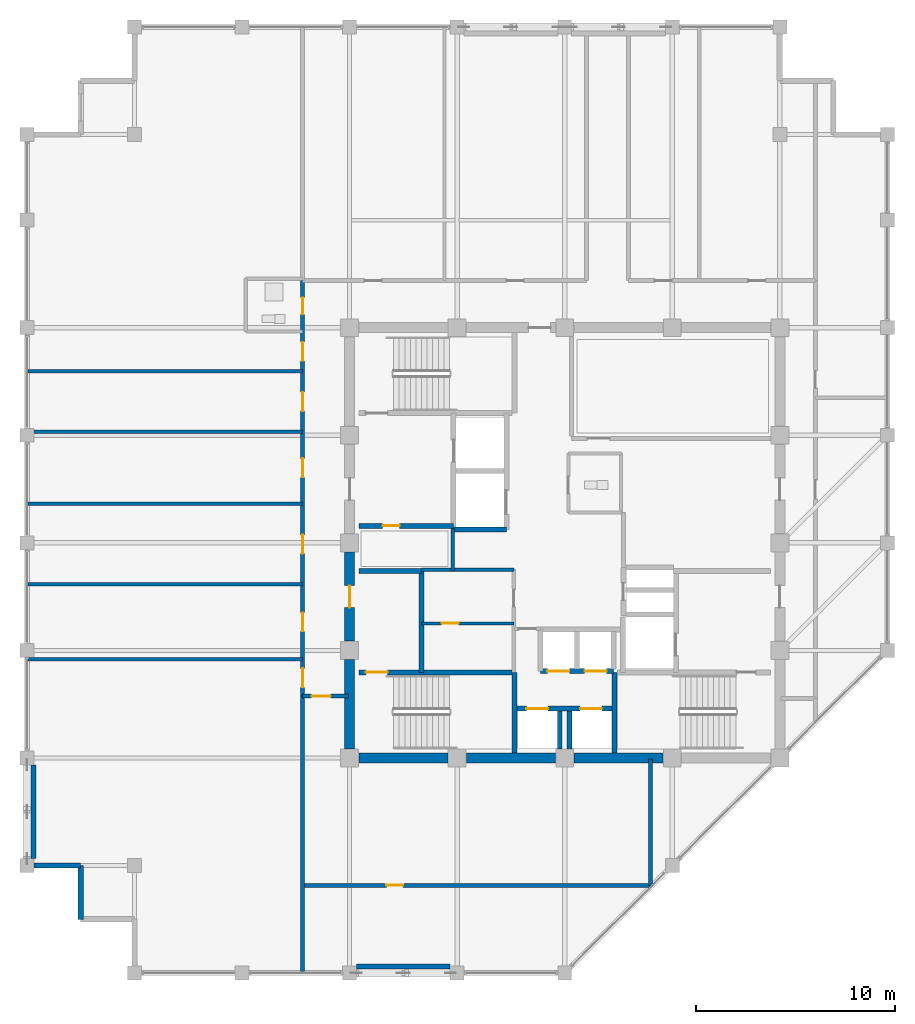
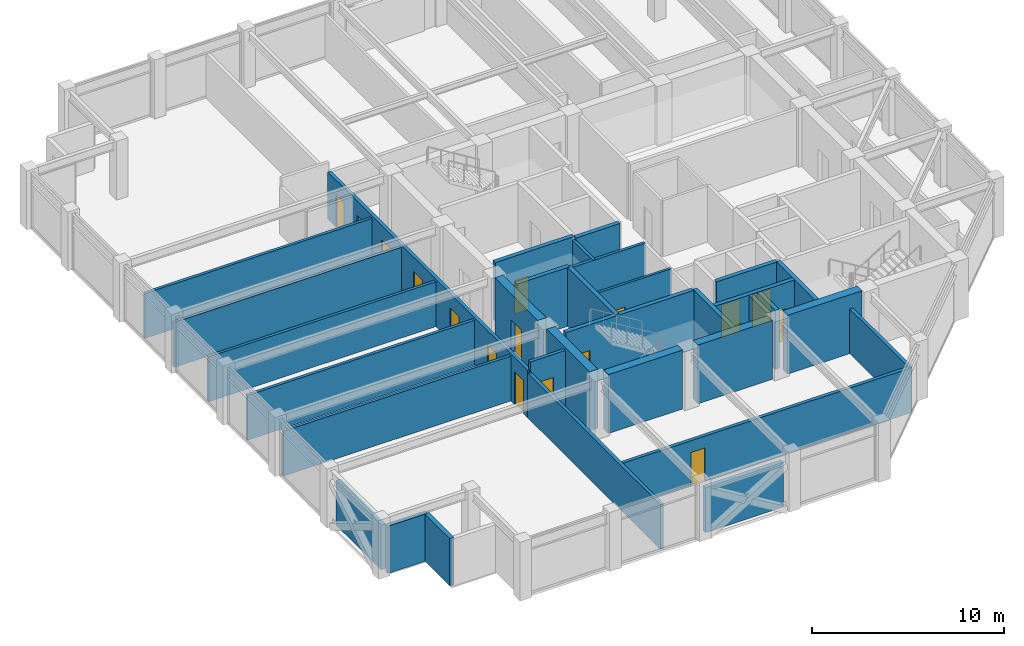
# One storey, part 26 of 30: 33 walls, 17 doors, 17 openings.
"""IFC4 building model written with IfcOpenShell, lengths in metres."""

from ifc_helpers import new_model, si_unit, direction, frame, frame_2d, origin, place, context, subcontext, project, spatial, rectangle, extrude, material, layer, layer_set, type_object, element, fill, save


model = new_model("IFC4")

# Units and contexts
model_context = context("Model", 3, precision=1e-05, world=origin(), true_north=direction((0.0, 1.0)))
body_context = subcontext(model_context, "Body", "Model", "MODEL_VIEW")
ifc_project = project(units=[si_unit("LENGTHUNIT", "METRE"), si_unit("AREAUNIT", "SQUARE_METRE"), si_unit("VOLUMEUNIT", "CUBIC_METRE"), si_unit("PLANEANGLEUNIT", "RADIAN"), si_unit("MASSUNIT", "GRAM", prefix="KILO")], contexts=[model_context])

# Site, building, storey
site_placement = place(None, origin())
site = spatial("IfcSite", under=ifc_project, at=site_placement, CompositionType="ELEMENT")
building_placement = place(site_placement, origin())
building = spatial("IfcBuilding", under=site, at=building_placement, Name="Surkhivell Harbour Commons", CompositionType="ELEMENT")
storey_placement = place(building_placement, frame((0.0, 0.0, 300.0)))
storey = spatial("IfcBuildingStorey", under=building, at=storey_placement, Name="L78", CompositionType="ELEMENT", Elevation=300.0)

# Walls
ifc_material_1 = material(Name="Concrete C50/60", Category="concrete")
ifc_layer_1 = layer(ifc_material_1, 0.5)
ifc_layer_set_1 = layer_set([ifc_layer_1], Name="Concrete C50/60")
wall_type_1 = type_object("IfcWallType", Name="WAL-CORE-500", PredefinedType="SHEAR", material=ifc_layer_set_1)
for number, where, z_axis, x_axis, name in (
    (1, (-10.340087890625, -10.800048828125, 0.0), (0.0, 0.0, 1.0), (1.0, 0.0, 0.0), "L78 Core Shear Wall South 1"),
    (2, (-10.800048828125, -10.340087890625, 0.0), (0.0, 0.0, 1.0), (0.0, 1.0, 0.0), "L78 Core Shear Wall West 1"),
    (3, (-4.93994140625, -10.800048828125, 0.0), (0.0, 0.0, 1.0), (1.0, 0.0, 0.0), "L78 Core Shear Wall South 2"),
):
    element("IfcWall", number, at=place(storey_placement, frame(where, z_axis=z_axis, x_axis=x_axis)), inside=storey, type_object=wall_type_1, Name=name, PredefinedType="SHEAR", context=body_context, shape_type="SweptSolid", body=[
        extrude(rectangle(XDim=4.47998046875, YDim=0.5, at=frame_2d((2.239990234375, 0.0))), origin(), (0.0, 0.0, 1.0), 3.75),
    ])

# Wall, opening, door
wall_1_placement = place(storey_placement, frame((-10.800048828125, -4.93994140625, 0.0), z_axis=(0.0, 0.0, 1.0), x_axis=(0.0, 1.0, 0.0)))
wall_1 = element("IfcWall", 4, at=wall_1_placement, inside=storey, type_object=wall_type_1, Name="L78 Core Shear Wall West 2", PredefinedType="SHEAR", context=body_context, shape_type="SweptSolid", body=[
    extrude(rectangle(XDim=4.47998046875, YDim=0.5, at=frame_2d((2.239990234375, 0.0))), origin(), (0.0, 0.0, 1.0), 3.75),
])
opening_1_placement = place(wall_1_placement, frame((1.68994140625, 0.0, 0.0)))
opening_1 = element("IfcOpeningElement", 5, at=opening_1_placement, cuts=wall_1, Name="Opening ID-2", PredefinedType="OPENING", context=body_context, shape_type="SweptSolid", body=[
    extrude(rectangle(XDim=1.10009765625, YDim=2.10009765625, at=frame_2d((0.550048828125, 1.050048828125))), frame((0.0, 0.260009765625, 0.0), z_axis=(0.0, -1.0, 0.0), x_axis=(1.0, 0.0, 0.0)), (0.0, 0.0, 1.0), 0.52001953125),
])
ifc_material_2 = material(Name="Hardwood-veneered fire-rated door leaf", Category="wood")
door_type_1 = type_object("IfcDoorType", Name="DOR-FD60-1100", OperationType="NOTDEFINED", PredefinedType="DOOR", material=ifc_material_2)
door_1_placement = place(opening_1_placement, origin())
door_1 = element("IfcDoor", 6, at=door_1_placement, inside=storey, type_object=door_type_1, Name="L78 Stair 3 Lobby Corridor Door", OperationType="SINGLE_SWING_LEFT", OverallHeight=2.10009765625, OverallWidth=1.10009765625, PredefinedType="DOOR", context=body_context, shape_type="SweptSolid", body=[
    extrude(rectangle(XDim=1.10009765625, YDim=2.10009765625, at=frame_2d((0.550048828125, 1.050048828125))), frame((0.0, 0.02490234375, 0.0), z_axis=(0.0, -1.0, 0.0), x_axis=(1.0, 0.0, 0.0)), (0.0, 0.0, 1.0), 0.050048828125),
])
fill(opening_1, door_1)

# Walls
wall_2_placement = place(storey_placement, frame((0.4599609375, -10.800048828125, 0.0), z_axis=(0.0, 0.0, 1.0), x_axis=(1.0, 0.0, 0.0)))
element("IfcWall", 7, at=wall_2_placement, inside=storey, type_object=wall_type_1, Name="L78 Core Shear Wall South 3", PredefinedType="SHEAR", context=body_context, shape_type="SweptSolid", body=[
    extrude(rectangle(XDim=4.47998046875, YDim=0.5, at=frame_2d((2.239990234375, 0.0))), origin(), (0.0, 0.0, 1.0), 3.75),
])
ifc_material_3 = material(Name="Pale-metal insulated precast concrete C45/55", Category="concrete")
ifc_layer_2 = layer(ifc_material_3, 0.260009765625)
ifc_layer_set_2 = layer_set([ifc_layer_2], Name="Pale-metal insulated precast concrete C45/55")
wall_type_2 = type_object("IfcWallType", Name="WAL-EXT-MTL260", PredefinedType="STANDARD", material=ifc_layer_set_2)
wall_3_placement = place(storey_placement, frame((-10.451904296875, -21.264892578125, 0.0), z_axis=(0.0, 0.0, 1.0), x_axis=(1.0, 0.0, 0.0)))
element("IfcWall", 8, at=wall_3_placement, inside=storey, type_object=wall_type_2, Name="L78 Braced-Bay Insulated Spandrel Backing S", PredefinedType="STANDARD", context=body_context, shape_type="SweptSolid", body=[
    extrude(rectangle(XDim=4.703857421875, YDim=0.260009765625, at=frame_2d((2.35205078125, 0.0))), origin(), (0.0, 0.0, 1.0), 2.85693359375),
])
wall_4_placement = place(storey_placement, frame((-26.6650390625, -11.14794921875, 0.0), z_axis=(0.0, 0.0, 1.0), x_axis=(0.0, -1.0, 0.0)))
element("IfcWall", 9, at=wall_4_placement, inside=storey, type_object=wall_type_2, Name="L78 Braced-Bay Insulated Spandrel Backing W", PredefinedType="STANDARD", context=body_context, shape_type="SweptSolid", body=[
    extrude(rectangle(XDim=4.7041015625, YDim=0.260009765625, at=frame_2d((2.35205078125, 0.0))), origin(), (0.0, 0.0, 1.0), 2.85693359375),
])
wall_5_placement = place(storey_placement, frame((-26.652099609375, -16.199951171875, 0.0), z_axis=(0.0, 0.0, 1.0), x_axis=(1.0, 0.0, 0.0)))
element("IfcWall", 10, at=wall_5_placement, inside=storey, type_object=wall_type_2, Name="L78 Serrated Corner Facade Wall 13", PredefinedType="STANDARD", context=body_context, shape_type="SweptSolid", body=[
    extrude(rectangle(XDim=2.35205078125, YDim=0.260009765625, at=frame_2d((1.176025390625, 0.0))), origin(), (0.0, 0.0, 1.0), 3.012939453125),
])
wall_6_placement = place(storey_placement, frame((-24.300048828125, -16.199951171875, 0.0), z_axis=(0.0, 0.0, 1.0), x_axis=(0.0, -1.0, 0.0)))
element("IfcWall", 11, at=wall_6_placement, inside=storey, type_object=wall_type_2, Name="L78 Serrated Corner Facade Wall 14", PredefinedType="STANDARD", context=body_context, shape_type="SweptSolid", body=[
    extrude(rectangle(XDim=2.699951171875, YDim=0.260009765625, at=frame_2d((1.35009765625, 0.0))), origin(), (0.0, 0.0, 1.0), 3.012939453125),
])

# Wall, opening, door
ifc_material_4 = material(Name="Twin-stud acoustic fireboard partition", Category="other")
ifc_layer_3 = layer(ifc_material_4, 0.14990234375)
ifc_layer_set_3 = layer_set([ifc_layer_3], Name="Twin-stud acoustic fireboard partition")
wall_type_3 = type_object("IfcWallType", Name="WAL-INT-150", PredefinedType="PARTITIONING", material=ifc_layer_set_3)
wall_7_placement = place(storey_placement, frame((-7.179931640625, -4.050048828125, 0.0), z_axis=(0.0, 0.0, 1.0), x_axis=(1.0, 0.0, 0.0)))
wall_7 = element("IfcWall", 12, at=wall_7_placement, inside=storey, type_object=wall_type_3, Name="L78 Core Cut A Partition", PredefinedType="PARTITIONING", context=body_context, shape_type="SweptSolid", body=[
    extrude(rectangle(XDim=4.6298828125, YDim=0.14990234375, at=frame_2d((2.31494140625, 0.0))), origin(), (0.0, 0.0, 1.0), 3.570068359375),
])
opening_2_placement = place(wall_7_placement, frame((1.0, 0.0, 0.0)))
opening_2 = element("IfcOpeningElement", 13, at=opening_2_placement, cuts=wall_7, Name="Opening ID-6", PredefinedType="OPENING", context=body_context, shape_type="SweptSolid", body=[
    extrude(rectangle(XDim=0.85009765625, YDim=2.10009765625, at=frame_2d((0.425048828125, 1.050048828125))), frame((0.0, 0.0849609375, 0.0), z_axis=(0.0, -1.0, 0.0), x_axis=(1.0, 0.0, 0.0)), (0.0, 0.0, 1.0), 0.169921875),
])
door_type_2 = type_object("IfcDoorType", Name="DOR-FD30-850", OperationType="NOTDEFINED", PredefinedType="DOOR", material=ifc_material_2)
door_2_placement = place(opening_2_placement, origin())
door_2 = element("IfcDoor", 14, at=door_2_placement, inside=storey, type_object=door_type_2, Name="L78 Linen Room Door", OperationType="SINGLE_SWING_RIGHT", OverallHeight=2.10009765625, OverallWidth=0.85009765625, PredefinedType="DOOR", context=body_context, shape_type="SweptSolid", body=[
    extrude(rectangle(XDim=0.85009765625, YDim=2.10009765625, at=frame_2d((0.425048828125, 1.050048828125))), frame((0.0, 0.02490234375, 0.0), z_axis=(0.0, -1.0, 0.0), x_axis=(1.0, 0.0, 0.0)), (0.0, 0.0, 1.0), 0.050048828125),
])
fill(opening_2, door_2)

# Walls
ifc_material_5 = material(Name="High-density acoustic blockwork fire partition", Category="masonry")
ifc_layer_4 = layer(ifc_material_5, 0.175048828125)
ifc_layer_set_4 = layer_set([ifc_layer_4], Name="High-density acoustic blockwork fire partition")
wall_type_4 = type_object("IfcWallType", Name="WAL-INT-175", PredefinedType="PARTITIONING", material=ifc_layer_set_4)
wall_8_placement = place(storey_placement, frame((-7.179931640625, -1.35009765625, 0.0), z_axis=(0.0, 0.0, 1.0), x_axis=(1.0, 0.0, 0.0)))
element("IfcWall", 15, at=wall_8_placement, inside=storey, type_object=wall_type_4, Name="L78 Core Service Bay North Wall", PredefinedType="PARTITIONING", context=body_context, shape_type="SweptSolid", body=[
    extrude(rectangle(XDim=4.6298828125, YDim=0.175048828125, at=frame_2d((2.31494140625, 0.0))), origin(), (0.0, 0.0, 1.0), 3.570068359375),
])
wall_9_placement = place(storey_placement, frame((-5.6201171875, -1.419921875, 0.0), z_axis=(0.0, 0.0, 1.0), x_axis=(0.0, 1.0, 0.0)))
element("IfcWall", 16, at=wall_9_placement, inside=storey, type_object=wall_type_4, Name="L78 West Core Bay East Wall", PredefinedType="PARTITIONING", context=body_context, shape_type="SweptSolid", body=[
    extrude(rectangle(XDim=2.139892578125, YDim=0.175048828125, at=frame_2d((1.06982421875, 0.0))), origin(), (0.0, 0.0, 1.0), 3.570068359375),
])
for number, where, z_axis, x_axis, name in (
    (17, (-26.93994140625, -2.090087890625, 0.0), (0.0, 0.0, 1.0), (1.0, 0.0, 0.0), "L78 West Partition BDP1"),
    (18, (-26.93994140625, 1.9599609375, 0.0), (0.0, 0.0, 1.0), (1.0, 0.0, 0.0), "L78 West Partition BDP2"),
    (19, (-26.93994140625, 5.570068359375, 0.0), (0.0, 0.0, 1.0), (1.0, 0.0, 0.0), "L78 West Partition BDP3"),
    (20, (-26.93994140625, -5.85009765625, 0.0), (0.0, 0.0, 1.0), (1.0, 0.0, 0.0), "L78 West Partition PBOT"),
    (21, (-26.93994140625, 8.610107421875, 0.0), (0.0, 0.0, 1.0), (1.0, 0.0, 0.0), "L78 West Partition PTOP"),
):
    element("IfcWall", number, at=place(storey_placement, frame(where, z_axis=z_axis, x_axis=x_axis)), inside=storey, type_object=wall_type_4, Name=name, PredefinedType="PARTITIONING", context=body_context, shape_type="SweptSolid", body=[
        extrude(rectangle(XDim=13.780029296875, YDim=0.175048828125, at=frame_2d((6.89013671875, 0.0))), origin(), (0.0, 0.0, 1.0), 2.85693359375),
    ])
ifc_material_6 = material(Name="Autoclaved aerated concrete blockwork and fire plaster", Category="masonry")
ifc_layer_5 = layer(ifc_material_6, 0.199951171875)
ifc_layer_set_5 = layer_set([ifc_layer_5], Name="Autoclaved aerated concrete blockwork and fire plaster")
wall_type_5 = type_object("IfcWallType", Name="WAL-INT-200", PredefinedType="PARTITIONING", material=ifc_layer_set_5)
wall_10_placement = place(storey_placement, frame((4.300048828125, -17.215087890625, 0.0), z_axis=(0.0, 0.0, 1.0), x_axis=(0.0, 1.0, 0.0)))
element("IfcWall", 22, at=wall_10_placement, inside=storey, type_object=wall_type_5, Name="L78 South Hall East Wall", PredefinedType="PARTITIONING", context=body_context, shape_type="SweptSolid", body=[
    extrude(rectangle(XDim=6.364990234375, YDim=0.199951171875, at=frame_2d((3.1826171875, 0.0))), origin(), (0.0, 0.0, 1.0), 2.85693359375),
])

# Wall, opening, door
wall_11_placement = place(storey_placement, frame((-13.159912109375, -17.199951171875, 0.0), z_axis=(0.0, 0.0, 1.0), x_axis=(1.0, 0.0, 0.0)))
wall_11 = element("IfcWall", 23, at=wall_11_placement, inside=storey, type_object=wall_type_5, Name="L78 South Wing Horizontal Partition", PredefinedType="PARTITIONING", context=body_context, shape_type="SweptSolid", body=[
    extrude(rectangle(XDim=17.4599609375, YDim=0.199951171875, at=frame_2d((8.72998046875, 0.0))), origin(), (0.0, 0.0, 1.0), 2.85693359375),
])
opening_3_placement = place(wall_11_placement, frame((4.199951171875, 0.0, 0.0)))
opening_3 = element("IfcOpeningElement", 24, at=opening_3_placement, cuts=wall_11, Name="Opening ID-6", PredefinedType="OPENING", context=body_context, shape_type="SweptSolid", body=[
    extrude(rectangle(XDim=0.85009765625, YDim=2.10009765625, at=frame_2d((0.425048828125, 1.050048828125))), frame((0.0, 0.10986328125, 0.0), z_axis=(0.0, -1.0, 0.0), x_axis=(1.0, 0.0, 0.0)), (0.0, 0.0, 1.0), 0.219970703125),
])
door_3_placement = place(opening_3_placement, origin())
door_3 = element("IfcDoor", 25, at=door_3_placement, inside=storey, type_object=door_type_2, Name="L78 South Music Door", OperationType="SINGLE_SWING_RIGHT", OverallHeight=2.10009765625, OverallWidth=0.85009765625, PredefinedType="DOOR", context=body_context, shape_type="SweptSolid", body=[
    extrude(rectangle(XDim=0.85009765625, YDim=2.10009765625, at=frame_2d((0.425048828125, 1.050048828125))), frame((0.0, 0.02490234375, 0.0), z_axis=(0.0, -1.0, 0.0), x_axis=(1.0, 0.0, 0.0)), (0.0, 0.0, 1.0), 0.050048828125),
])
fill(opening_3, door_3)

# Wall
wall_12_placement = place(storey_placement, frame((-13.159912109375, -21.5400390625, 0.0), z_axis=(0.0, 0.0, 1.0), x_axis=(0.0, 1.0, 0.0)))
element("IfcWall", 26, at=wall_12_placement, inside=storey, type_object=wall_type_5, Name="L78 South Hall West Divider", PredefinedType="PARTITIONING", context=body_context, shape_type="SweptSolid", body=[
    extrude(rectangle(XDim=13.840087890625, YDim=0.199951171875, at=frame_2d((6.919921875, 0.0))), origin(), (0.0, 0.0, 1.0), 2.85693359375),
])

# Wall, openings, doors
wall_13_placement = place(storey_placement, frame((-13.159912109375, -7.699951171875, 0.0), z_axis=(0.0, 0.0, 1.0), x_axis=(0.0, 1.0, 0.0)))
wall_13 = element("IfcWall", 27, at=wall_13_placement, inside=storey, type_object=wall_type_5, Name="L78 West Corridor Wall", PredefinedType="PARTITIONING", context=body_context, shape_type="SweptSolid", body=[
    extrude(rectangle(XDim=20.85986328125, YDim=0.199951171875, at=frame_2d((10.429931640625, 0.0))), origin(), (0.0, 0.0, 1.0), 3.012939453125),
])
opening_4_placement = place(wall_13_placement, frame((0.445068359375, 0.0, 0.0)))
opening_4 = element("IfcOpeningElement", 28, at=opening_4_placement, cuts=wall_13, Name="Opening ID-4", PredefinedType="OPENING", context=body_context, shape_type="SweptSolid", body=[
    extrude(rectangle(XDim=0.949951171875, YDim=2.10009765625, at=frame_2d((0.47509765625, 1.050048828125))), frame((0.0, 0.10986328125, 0.0), z_axis=(0.0, -1.0, 0.0), x_axis=(1.0, 0.0, 0.0)), (0.0, 0.0, 1.0), 0.219970703125),
])
opening_5_placement = place(wall_13_placement, frame((19.1650390625, 0.0, 0.0)))
opening_5 = element("IfcOpeningElement", 29, at=opening_5_placement, cuts=wall_13, Name="Opening ID-6", PredefinedType="OPENING", context=body_context, shape_type="SweptSolid", body=[
    extrude(rectangle(XDim=0.85009765625, YDim=2.10009765625, at=frame_2d((0.425048828125, 1.050048828125))), frame((0.0, 0.10986328125, 0.0), z_axis=(0.0, -1.0, 0.0), x_axis=(1.0, 0.0, 0.0)), (0.0, 0.0, 1.0), 0.219970703125),
])
opening_6_placement = place(wall_13_placement, frame((16.830078125, 0.0, 0.0)))
opening_6 = element("IfcOpeningElement", 30, at=opening_6_placement, cuts=wall_13, Name="Opening ID-4", PredefinedType="OPENING", context=body_context, shape_type="SweptSolid", body=[
    extrude(rectangle(XDim=0.949951171875, YDim=2.10009765625, at=frame_2d((0.47509765625, 1.050048828125))), frame((0.0, 0.10986328125, 0.0), z_axis=(0.0, -1.0, 0.0), x_axis=(1.0, 0.0, 0.0)), (0.0, 0.0, 1.0), 0.219970703125),
])
opening_7_placement = place(wall_13_placement, frame((3.25, 0.0, 0.0)))
opening_7 = element("IfcOpeningElement", 31, at=opening_7_placement, cuts=wall_13, Name="Opening ID-4", PredefinedType="OPENING", context=body_context, shape_type="SweptSolid", body=[
    extrude(rectangle(XDim=0.949951171875, YDim=2.10009765625, at=frame_2d((0.47509765625, 1.050048828125))), frame((0.0, 0.10986328125, 0.0), z_axis=(0.0, -1.0, 0.0), x_axis=(1.0, 0.0, 0.0)), (0.0, 0.0, 1.0), 0.219970703125),
])
opening_8_placement = place(wall_13_placement, frame((7.155029296875, 0.0, 0.0)))
opening_8 = element("IfcOpeningElement", 32, at=opening_8_placement, cuts=wall_13, Name="Opening ID-4", PredefinedType="OPENING", context=body_context, shape_type="SweptSolid", body=[
    extrude(rectangle(XDim=0.949951171875, YDim=2.10009765625, at=frame_2d((0.47509765625, 1.050048828125))), frame((0.0, 0.10986328125, 0.0), z_axis=(0.0, -1.0, 0.0), x_axis=(1.0, 0.0, 0.0)), (0.0, 0.0, 1.0), 0.219970703125),
])
opening_9_placement = place(wall_13_placement, frame((10.985107421875, 0.0, 0.0)))
opening_9 = element("IfcOpeningElement", 33, at=opening_9_placement, cuts=wall_13, Name="Opening ID-4", PredefinedType="OPENING", context=body_context, shape_type="SweptSolid", body=[
    extrude(rectangle(XDim=0.949951171875, YDim=2.10009765625, at=frame_2d((0.47509765625, 1.050048828125))), frame((0.0, 0.10986328125, 0.0), z_axis=(0.0, -1.0, 0.0), x_axis=(1.0, 0.0, 0.0)), (0.0, 0.0, 1.0), 0.219970703125),
])
opening_10_placement = place(wall_13_placement, frame((14.31005859375, 0.0, 0.0)))
opening_10 = element("IfcOpeningElement", 34, at=opening_10_placement, cuts=wall_13, Name="Opening ID-4", PredefinedType="OPENING", context=body_context, shape_type="SweptSolid", body=[
    extrude(rectangle(XDim=0.949951171875, YDim=2.10009765625, at=frame_2d((0.47509765625, 1.050048828125))), frame((0.0, 0.10986328125, 0.0), z_axis=(0.0, -1.0, 0.0), x_axis=(1.0, 0.0, 0.0)), (0.0, 0.0, 1.0), 0.219970703125),
])
door_4_placement = place(opening_5_placement, origin())
door_4 = element("IfcDoor", 35, at=door_4_placement, inside=storey, type_object=door_type_2, Name="L78 Communal Shower Bathroom West Door", OperationType="SINGLE_SWING_LEFT", OverallHeight=2.10009765625, OverallWidth=0.85009765625, PredefinedType="DOOR", context=body_context, shape_type="SweptSolid", body=[
    extrude(rectangle(XDim=0.85009765625, YDim=2.10009765625, at=frame_2d((0.425048828125, 1.050048828125))), frame((0.0, 0.02490234375, 0.0), z_axis=(0.0, -1.0, 0.0), x_axis=(1.0, 0.0, 0.0)), (0.0, 0.0, 1.0), 0.050048828125),
])
fill(opening_5, door_4)
door_type_3 = type_object("IfcDoorType", Name="DOR-FD60-950", OperationType="NOTDEFINED", PredefinedType="DOOR", material=ifc_material_2)
door_5_placement = place(opening_4_placement, origin())
door_5 = element("IfcDoor", 36, at=door_5_placement, inside=storey, type_object=door_type_3, Name="L78 Shared Communal Kitchen West Door", OperationType="SINGLE_SWING_RIGHT", OverallHeight=2.10009765625, OverallWidth=0.949951171875, PredefinedType="DOOR", context=body_context, shape_type="SweptSolid", body=[
    extrude(rectangle(XDim=0.949951171875, YDim=2.10009765625, at=frame_2d((0.47509765625, 1.050048828125))), frame((0.0, 0.02490234375, 0.0), z_axis=(0.0, -1.0, 0.0), x_axis=(1.0, 0.0, 0.0)), (0.0, 0.0, 1.0), 0.050048828125),
])
fill(opening_4, door_5)
door_6_placement = place(opening_6_placement, origin())
door_6 = element("IfcDoor", 37, at=door_6_placement, inside=storey, type_object=door_type_3, Name="L78 Academic Reading Commons West Door", OperationType="SINGLE_SWING_RIGHT", OverallHeight=2.10009765625, OverallWidth=0.949951171875, PredefinedType="DOOR", context=body_context, shape_type="SweptSolid", body=[
    extrude(rectangle(XDim=0.949951171875, YDim=2.10009765625, at=frame_2d((0.47509765625, 1.050048828125))), frame((0.0, 0.02490234375, 0.0), z_axis=(0.0, -1.0, 0.0), x_axis=(1.0, 0.0, 0.0)), (0.0, 0.0, 1.0), 0.050048828125),
])
fill(opening_6, door_6)
door_7_placement = place(opening_7_placement, origin())
door_7 = element("IfcDoor", 38, at=door_7_placement, inside=storey, type_object=door_type_3, Name="L78 Hostel Cluster Bedroom 1 West Door", OperationType="SINGLE_SWING_LEFT", OverallHeight=2.10009765625, OverallWidth=0.949951171875, PredefinedType="DOOR", context=body_context, shape_type="SweptSolid", body=[
    extrude(rectangle(XDim=0.949951171875, YDim=2.10009765625, at=frame_2d((0.47509765625, 1.050048828125))), frame((0.0, 0.02490234375, 0.0), z_axis=(0.0, -1.0, 0.0), x_axis=(1.0, 0.0, 0.0)), (0.0, 0.0, 1.0), 0.050048828125),
])
fill(opening_7, door_7)
door_8_placement = place(opening_8_placement, origin())
door_8 = element("IfcDoor", 39, at=door_8_placement, inside=storey, type_object=door_type_3, Name="L78 Co-Living Dormitory Bedroom 2 West Door", OperationType="SINGLE_SWING_RIGHT", OverallHeight=2.10009765625, OverallWidth=0.949951171875, PredefinedType="DOOR", context=body_context, shape_type="SweptSolid", body=[
    extrude(rectangle(XDim=0.949951171875, YDim=2.10009765625, at=frame_2d((0.47509765625, 1.050048828125))), frame((0.0, 0.02490234375, 0.0), z_axis=(0.0, -1.0, 0.0), x_axis=(1.0, 0.0, 0.0)), (0.0, 0.0, 1.0), 0.050048828125),
])
fill(opening_8, door_8)
door_9_placement = place(opening_9_placement, origin())
door_9 = element("IfcDoor", 40, at=door_9_placement, inside=storey, type_object=door_type_3, Name="L78 Hostel Cluster Bedroom 3 West Door", OperationType="SINGLE_SWING_LEFT", OverallHeight=2.10009765625, OverallWidth=0.949951171875, PredefinedType="DOOR", context=body_context, shape_type="SweptSolid", body=[
    extrude(rectangle(XDim=0.949951171875, YDim=2.10009765625, at=frame_2d((0.47509765625, 1.050048828125))), frame((0.0, 0.02490234375, 0.0), z_axis=(0.0, -1.0, 0.0), x_axis=(1.0, 0.0, 0.0)), (0.0, 0.0, 1.0), 0.050048828125),
])
fill(opening_9, door_9)
door_10_placement = place(opening_10_placement, origin())
door_10 = element("IfcDoor", 41, at=door_10_placement, inside=storey, type_object=door_type_3, Name="L78 Co-Living Dormitory Bedroom 4 West Door", OperationType="SINGLE_SWING_RIGHT", OverallHeight=2.10009765625, OverallWidth=0.949951171875, PredefinedType="DOOR", context=body_context, shape_type="SweptSolid", body=[
    extrude(rectangle(XDim=0.949951171875, YDim=2.10009765625, at=frame_2d((0.47509765625, 1.050048828125))), frame((0.0, 0.02490234375, 0.0), z_axis=(0.0, -1.0, 0.0), x_axis=(1.0, 0.0, 0.0)), (0.0, 0.0, 1.0), 0.050048828125),
])
fill(opening_10, door_10)

# Wall, opening, door
wall_14_placement = place(storey_placement, frame((-13.159912109375, -7.699951171875, 0.0), z_axis=(0.0, 0.0, 1.0), x_axis=(1.0, 0.0, 0.0)))
wall_14 = element("IfcWall", 42, at=wall_14_placement, inside=storey, type_object=wall_type_5, Name="L78 West Corridor South Portal Wall", PredefinedType="PARTITIONING", context=body_context, shape_type="SweptSolid", body=[
    extrude(rectangle(XDim=2.309814453125, YDim=0.199951171875, at=frame_2d((1.15478515625, 0.0))), origin(), (0.0, 0.0, 1.0), 3.570068359375),
])
opening_11_placement = place(wall_14_placement, frame((0.449951171875, 0.0, 0.0)))
opening_11 = element("IfcOpeningElement", 43, at=opening_11_placement, cuts=wall_14, Name="Opening ID-4", PredefinedType="OPENING", context=body_context, shape_type="SweptSolid", body=[
    extrude(rectangle(XDim=0.949951171875, YDim=2.10009765625, at=frame_2d((0.47509765625, 1.050048828125))), frame((0.0, 0.10986328125, 0.0), z_axis=(0.0, -1.0, 0.0), x_axis=(1.0, 0.0, 0.0)), (0.0, 0.0, 1.0), 0.219970703125),
])
door_11_placement = place(opening_11_placement, origin())
door_11 = element("IfcDoor", 44, at=door_11_placement, inside=storey, type_object=door_type_3, Name="L78 South Dining Door", OperationType="SINGLE_SWING_RIGHT", OverallHeight=2.10009765625, OverallWidth=0.949951171875, PredefinedType="DOOR", context=body_context, shape_type="SweptSolid", body=[
    extrude(rectangle(XDim=0.949951171875, YDim=2.10009765625, at=frame_2d((0.47509765625, 1.050048828125))), frame((0.0, 0.02490234375, 0.0), z_axis=(0.0, -1.0, 0.0), x_axis=(1.0, 0.0, 0.0)), (0.0, 0.0, 1.0), 0.050048828125),
])
fill(opening_11, door_11)

ifc_layer_6 = layer(ifc_material_1, 0.25)
ifc_layer_set_6 = layer_set([ifc_layer_6], Name="Concrete C50/60")
wall_type_6 = type_object("IfcWallType", Name="WAL-SHAFT-250", PredefinedType="SHEAR", material=ifc_layer_set_6)
wall_15_placement = place(storey_placement, frame((-10.340087890625, 0.85009765625, 0.0), z_axis=(0.0, 0.0, 1.0), x_axis=(1.0, 0.0, 0.0)))
wall_15 = element("IfcWall", 45, at=wall_15_placement, inside=storey, type_object=wall_type_6, Name="L78 Firefighting Lobby 1 South Wall", PredefinedType="SHEAR", context=body_context, shape_type="SweptSolid", body=[
    extrude(rectangle(XDim=4.760009765625, YDim=0.25, at=frame_2d((2.3798828125, 0.0))), origin(), (0.0, 0.0, 1.0), 3.75),
])
opening_12_placement = place(wall_15_placement, frame((1.199951171875, 0.0, 0.0)))
opening_12 = element("IfcOpeningElement", 46, at=opening_12_placement, cuts=wall_15, Name="Opening ID-6", PredefinedType="OPENING", context=body_context, shape_type="SweptSolid", body=[
    extrude(rectangle(XDim=0.85009765625, YDim=2.10009765625, at=frame_2d((0.425048828125, 1.050048828125))), frame((0.0, 0.135009765625, 0.0), z_axis=(0.0, -1.0, 0.0), x_axis=(1.0, 0.0, 0.0)), (0.0, 0.0, 1.0), 0.27001953125),
])
door_12_placement = place(opening_12_placement, origin())
door_12 = element("IfcDoor", 47, at=door_12_placement, inside=storey, type_object=door_type_2, Name="L78 West Quiet Study Door", OperationType="SINGLE_SWING_RIGHT", OverallHeight=2.10009765625, OverallWidth=0.85009765625, PredefinedType="DOOR", context=body_context, shape_type="SweptSolid", body=[
    extrude(rectangle(XDim=0.85009765625, YDim=2.10009765625, at=frame_2d((0.425048828125, 1.050048828125))), frame((0.0, 0.02490234375, 0.0), z_axis=(0.0, -1.0, 0.0), x_axis=(1.0, 0.0, 0.0)), (0.0, 0.0, 1.0), 0.050048828125),
])
fill(opening_12, door_12)

# Walls
for number, where, z_axis, x_axis, name in (
    (48, (-0.25, -10.35009765625, 0.0), (0.0, 0.0, 1.0), (0.0, 1.0, 0.0), "L78 High-Rise Side Wall S"),
    (49, (0.25, -10.35009765625, 0.0), (0.0, 0.0, 1.0), (0.0, 1.0, 0.0), "L78 High-Rise Side Wall S"),
):
    element("IfcWall", number, at=place(storey_placement, frame(where, z_axis=z_axis, x_axis=x_axis)), inside=storey, type_object=wall_type_6, Name=name, PredefinedType="SHEAR", context=body_context, shape_type="SweptSolid", body=[
        extrude(rectangle(XDim=1.91015625, YDim=0.25, at=frame_2d((0.955078125, 0.0))), origin(), (0.0, 0.0, 1.0), 3.75),
    ])

# Wall, openings, doors
wall_16_placement = place(storey_placement, frame((-1.219970703125, -6.43994140625, 0.0), z_axis=(0.0, 0.0, 1.0), x_axis=(1.0, 0.0, 0.0)))
wall_16 = element("IfcWall", 50, at=wall_16_placement, inside=storey, type_object=wall_type_6, Name="L78 High-Rise North Front Shaft Wall", PredefinedType="SHEAR", context=body_context, shape_type="SweptSolid", body=[
    extrude(rectangle(XDim=3.669921875, YDim=0.25, at=frame_2d((1.8349609375, 0.0))), origin(), (0.0, 0.0, 1.0), 3.75),
])
opening_13_placement = place(wall_16_placement, frame((0.35009765625, 0.0, 0.0)))
opening_13 = element("IfcOpeningElement", 51, at=opening_13_placement, cuts=wall_16, Name="Opening LD-1", PredefinedType="OPENING", context=body_context, shape_type="SweptSolid", body=[
    extrude(rectangle(XDim=1.10009765625, YDim=2.10009765625, at=frame_2d((0.550048828125, 1.050048828125))), frame((0.0, 0.135009765625, 0.0), z_axis=(0.0, -1.0, 0.0), x_axis=(1.0, 0.0, 0.0)), (0.0, 0.0, 1.0), 0.27001953125),
])
opening_14_placement = place(wall_16_placement, frame((2.219970703125, 0.0, 0.0)))
opening_14 = element("IfcOpeningElement", 52, at=opening_14_placement, cuts=wall_16, Name="Opening LD-1", PredefinedType="OPENING", context=body_context, shape_type="SweptSolid", body=[
    extrude(rectangle(XDim=1.10009765625, YDim=2.10009765625, at=frame_2d((0.550048828125, 1.050048828125))), frame((0.0, 0.135009765625, 0.0), z_axis=(0.0, -1.0, 0.0), x_axis=(1.0, 0.0, 0.0)), (0.0, 0.0, 1.0), 0.27001953125),
])
ifc_material_7 = material(Name="Brushed stainless steel S355", Category="steel")
door_type_4 = type_object("IfcDoorType", Name="DOR-LD-1100", OperationType="SLIDING_TO_LEFT", PredefinedType="DOOR", material=ifc_material_7)
door_13_placement = place(opening_13_placement, origin())
door_13 = element("IfcDoor", 53, at=door_13_placement, inside=storey, type_object=door_type_4, Name="L78 Lift Landing Door LD-PH1", OperationType="SLIDING_TO_LEFT", OverallHeight=2.10009765625, OverallWidth=1.10009765625, PredefinedType="DOOR", context=body_context, shape_type="SweptSolid", body=[
    extrude(rectangle(XDim=1.10009765625, YDim=2.10009765625, at=frame_2d((0.550048828125, 1.050048828125))), frame((0.0, 0.02490234375, 0.0), z_axis=(0.0, -1.0, 0.0), x_axis=(1.0, 0.0, 0.0)), (0.0, 0.0, 1.0), 0.050048828125),
])
fill(opening_13, door_13)
door_14_placement = place(opening_14_placement, origin())
door_14 = element("IfcDoor", 54, at=door_14_placement, inside=storey, type_object=door_type_4, Name="L78 Lift Landing Door LD-PH2", OperationType="SLIDING_TO_LEFT", OverallHeight=2.10009765625, OverallWidth=1.10009765625, PredefinedType="DOOR", context=body_context, shape_type="SweptSolid", body=[
    extrude(rectangle(XDim=1.10009765625, YDim=2.10009765625, at=frame_2d((0.550048828125, 1.050048828125))), frame((0.0, 0.02490234375, 0.0), z_axis=(0.0, -1.0, 0.0), x_axis=(1.0, 0.0, 0.0)), (0.0, 0.0, 1.0), 0.050048828125),
])
fill(opening_14, door_14)

wall_17_placement = place(storey_placement, frame((-2.47998046875, -8.320068359375, 0.0), z_axis=(0.0, 0.0, 1.0), x_axis=(1.0, 0.0, 0.0)))
wall_17 = element("IfcWall", 55, at=wall_17_placement, inside=storey, type_object=wall_type_6, Name="L78 High-Rise South Front Shaft Wall", PredefinedType="SHEAR", context=body_context, shape_type="SweptSolid", body=[
    extrude(rectangle(XDim=4.929931640625, YDim=0.25, at=frame_2d((2.46484375, 0.0))), origin(), (0.0, 0.0, 1.0), 3.75),
])
opening_15_placement = place(wall_17_placement, frame((0.550048828125, 0.0, 0.0)))
opening_15 = element("IfcOpeningElement", 56, at=opening_15_placement, cuts=wall_17, Name="Opening LD-1", PredefinedType="OPENING", context=body_context, shape_type="SweptSolid", body=[
    extrude(rectangle(XDim=1.10009765625, YDim=2.10009765625, at=frame_2d((0.550048828125, 1.050048828125))), frame((0.0, 0.135009765625, 0.0), z_axis=(0.0, -1.0, 0.0), x_axis=(1.0, 0.0, 0.0)), (0.0, 0.0, 1.0), 0.27001953125),
])
opening_16_placement = place(wall_17_placement, frame((3.25, 0.0, 0.0)))
opening_16 = element("IfcOpeningElement", 57, at=opening_16_placement, cuts=wall_17, Name="Opening LD-1", PredefinedType="OPENING", context=body_context, shape_type="SweptSolid", body=[
    extrude(rectangle(XDim=1.10009765625, YDim=2.10009765625, at=frame_2d((0.550048828125, 1.050048828125))), frame((0.0, 0.135009765625, 0.0), z_axis=(0.0, -1.0, 0.0), x_axis=(1.0, 0.0, 0.0)), (0.0, 0.0, 1.0), 0.27001953125),
])
door_15_placement = place(opening_15_placement, origin())
door_15 = element("IfcDoor", 58, at=door_15_placement, inside=storey, type_object=door_type_4, Name="L78 Lift Landing Door LD-PH3", OperationType="SLIDING_TO_LEFT", OverallHeight=2.10009765625, OverallWidth=1.10009765625, PredefinedType="DOOR", context=body_context, shape_type="SweptSolid", body=[
    extrude(rectangle(XDim=1.10009765625, YDim=2.10009765625, at=frame_2d((0.550048828125, 1.050048828125))), frame((0.0, 0.02490234375, 0.0), z_axis=(0.0, -1.0, 0.0), x_axis=(1.0, 0.0, 0.0)), (0.0, 0.0, 1.0), 0.050048828125),
])
fill(opening_15, door_15)
door_16_placement = place(opening_16_placement, origin())
door_16 = element("IfcDoor", 59, at=door_16_placement, inside=storey, type_object=door_type_4, Name="L78 Lift Landing Door LD-PH4", OperationType="SLIDING_TO_LEFT", OverallHeight=2.10009765625, OverallWidth=1.10009765625, PredefinedType="DOOR", context=body_context, shape_type="SweptSolid", body=[
    extrude(rectangle(XDim=1.10009765625, YDim=2.10009765625, at=frame_2d((0.550048828125, 1.050048828125))), frame((0.0, 0.02490234375, 0.0), z_axis=(0.0, -1.0, 0.0), x_axis=(1.0, 0.0, 0.0)), (0.0, 0.0, 1.0), 0.050048828125),
])
fill(opening_16, door_16)

# Walls
for number, where, z_axis, x_axis, name in (
    (60, (2.510009765625, -10.550048828125, 0.0), (0.0, 0.0, 1.0), (0.0, 1.0, 0.0), "L78 Stair ST2 West Shear Wall"),
    (61, (-2.510009765625, -10.550048828125, 0.0), (0.0, 0.0, 1.0), (0.0, 1.0, 0.0), "L78 Stair ST3 East Shear Wall"),
):
    element("IfcWall", number, at=place(storey_placement, frame(where, z_axis=z_axis, x_axis=x_axis)), inside=storey, type_object=wall_type_6, Name=name, PredefinedType="SHEAR", context=body_context, shape_type="SweptSolid", body=[
        extrude(rectangle(XDim=4.0400390625, YDim=0.25, at=frame_2d((2.02001953125, 0.0))), origin(), (0.0, 0.0, 1.0), 3.75),
    ])
wall_18_placement = place(storey_placement, frame((-7.179931640625, -6.510009765625, 0.0), z_axis=(0.0, 0.0, 1.0), x_axis=(0.0, 1.0, 0.0)))
element("IfcWall", 62, at=wall_18_placement, inside=storey, type_object=wall_type_6, Name="L78 Stair 3 Lobby East Wall", PredefinedType="SHEAR", context=body_context, shape_type="SweptSolid", body=[
    extrude(rectangle(XDim=5.090087890625, YDim=0.25, at=frame_2d((2.544921875, 0.0))), origin(), (0.0, 0.0, 1.0), 3.75),
])
wall_19_placement = place(storey_placement, frame((-10.340087890625, -1.419921875, 0.0), z_axis=(0.0, 0.0, 1.0), x_axis=(1.0, 0.0, 0.0)))
element("IfcWall", 63, at=wall_19_placement, inside=storey, type_object=wall_type_6, Name="L78 Stair 3 Lobby North Wall", PredefinedType="SHEAR", context=body_context, shape_type="SweptSolid", body=[
    extrude(rectangle(XDim=3.16015625, YDim=0.25, at=frame_2d((1.580078125, 0.0))), origin(), (0.0, 0.0, 1.0), 3.75),
])

# Wall, opening, door
wall_20_placement = place(storey_placement, frame((-10.340087890625, -6.510009765625, 0.0), z_axis=(0.0, 0.0, 1.0), x_axis=(1.0, 0.0, 0.0)))
wall_20 = element("IfcWall", 64, at=wall_20_placement, inside=storey, type_object=wall_type_6, Name="L78 Stair ST3 North Shear Wall", PredefinedType="SHEAR", context=body_context, shape_type="SweptSolid", body=[
    extrude(rectangle(XDim=7.7001953125, YDim=0.25, at=frame_2d((3.85009765625, 0.0))), origin(), (0.0, 0.0, 1.0), 3.75),
])
opening_17_placement = place(wall_20_placement, frame((0.35009765625, 0.0, 0.0)))
opening_17 = element("IfcOpeningElement", 65, at=opening_17_placement, cuts=wall_20, Name="Opening ID-2", PredefinedType="OPENING", context=body_context, shape_type="SweptSolid", body=[
    extrude(rectangle(XDim=1.10009765625, YDim=2.10009765625, at=frame_2d((0.550048828125, 1.050048828125))), frame((0.0, 0.135009765625, 0.0), z_axis=(0.0, -1.0, 0.0), x_axis=(1.0, 0.0, 0.0)), (0.0, 0.0, 1.0), 0.27001953125),
])
door_17_placement = place(opening_17_placement, origin())
door_17 = element("IfcDoor", 66, at=door_17_placement, inside=storey, type_object=door_type_1, Name="L78 Stair ST3 Exit Door", OperationType="SINGLE_SWING_RIGHT", OverallHeight=2.10009765625, OverallWidth=1.10009765625, PredefinedType="DOOR", context=body_context, shape_type="SweptSolid", body=[
    extrude(rectangle(XDim=1.10009765625, YDim=2.10009765625, at=frame_2d((0.550048828125, 1.050048828125))), frame((0.0, 0.02490234375, 0.0), z_axis=(0.0, -1.0, 0.0), x_axis=(1.0, 0.0, 0.0)), (0.0, 0.0, 1.0), 0.050048828125),
])
fill(opening_17, door_17)

# Wall
wall_21_placement = place(storey_placement, frame((-5.580078125, 0.679931640625, 0.0), z_axis=(0.0, 0.0, 1.0), x_axis=(1.0, 0.0, 0.0)))
element("IfcWall", 67, at=wall_21_placement, inside=storey, type_object=wall_type_6, Name="L78 SVL1 South Shaft Wall", PredefinedType="SHEAR", context=body_context, shape_type="SweptSolid", body=[
    extrude(rectangle(XDim=2.650146484375, YDim=0.25, at=frame_2d((1.3251953125, 0.0))), origin(), (0.0, 0.0, 1.0), 3.75),
])

save(model, "model.ifc")
